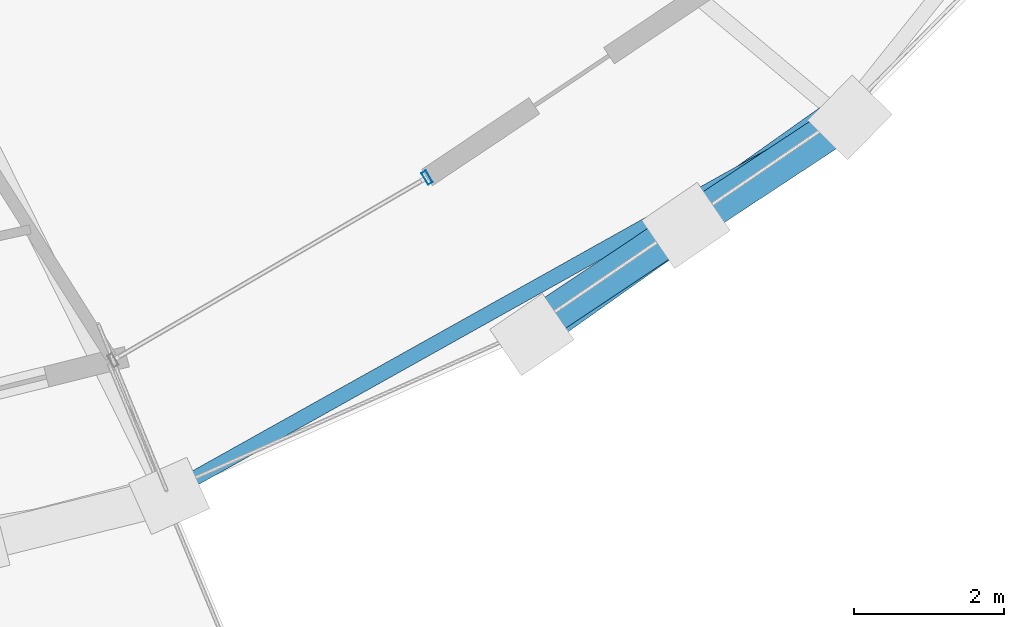
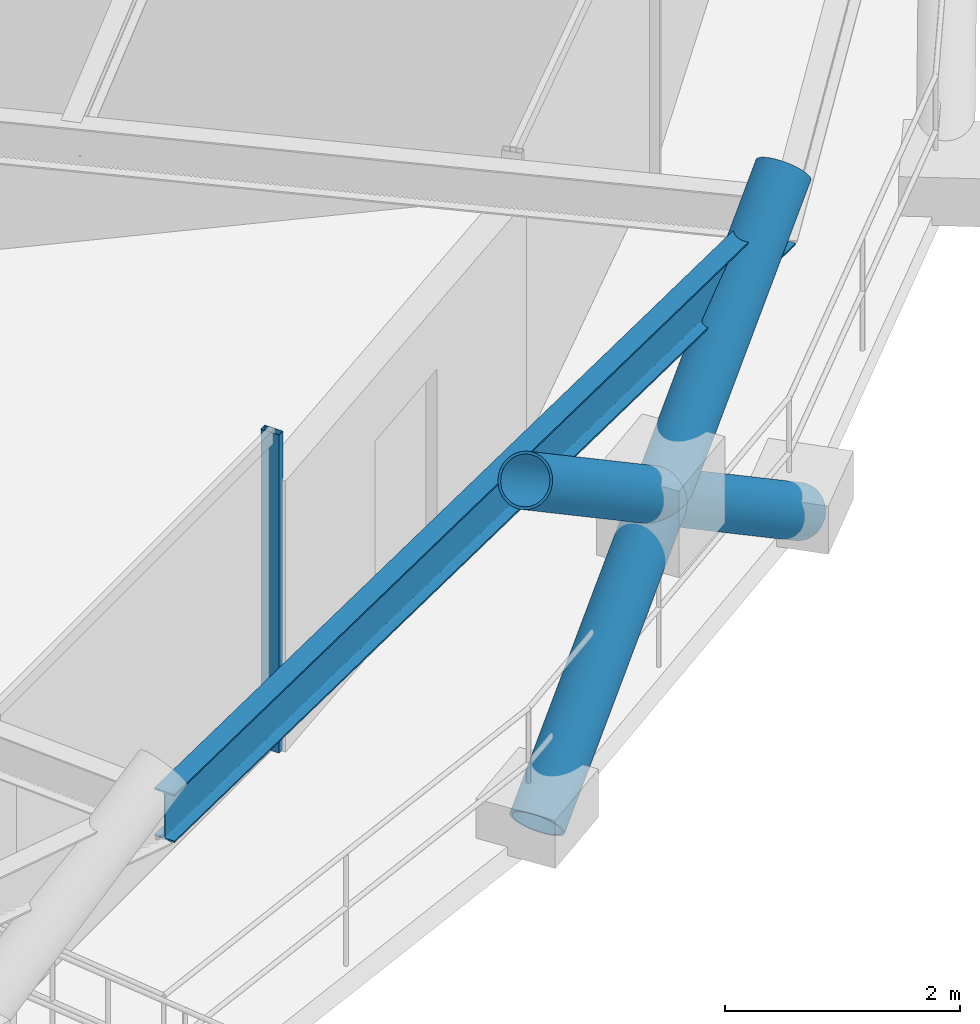
# One storey, part 3 of 16: 4 members, 1 beam, 1 element without a shape of its own.
"""IFC4 building model written with IfcOpenShell, lengths in metres."""

from ifc_helpers import new_model, si_unit, direction, frame, origin, origin_2d, place, context, subcontext, project, spatial, hollow_rectangle, hollow_circle, i_section, extrude, material, layer, layer_set, material_profile, profile_set, type_object, element, aggregate, save


model = new_model("IFC4")

# Units and contexts
model_context = context("Model", 3, precision=1e-05, world=origin(), true_north=direction((0.0, 1.0)))
body_context = subcontext(model_context, "Body", "Model", "MODEL_VIEW")
ifc_project = project(units=[si_unit("LENGTHUNIT", "METRE"), si_unit("AREAUNIT", "SQUARE_METRE"), si_unit("VOLUMEUNIT", "CUBIC_METRE"), si_unit("PLANEANGLEUNIT", "RADIAN"), si_unit("MASSUNIT", "GRAM", prefix="KILO")], contexts=[model_context])

# Site, building, storey
site_placement = place(None, origin())
site = spatial("IfcSite", under=ifc_project, at=site_placement, CompositionType="ELEMENT")
building_placement = place(site_placement, origin())
building = spatial("IfcBuilding", under=site, at=building_placement, Name="Veldorina Hangang Commons", CompositionType="ELEMENT")
storey_placement = place(building_placement, frame((0.0, 0.0, 174.800048828125)))
storey = spatial("IfcBuildingStorey", under=building, at=storey_placement, Name="L45", CompositionType="ELEMENT", Elevation=174.800048828125)

# Beam
ifc_material_1 = material(Name="Steel SM420-TMC", Category="steel")
ifc_material_profile_1 = material_profile(ifc_material_1, i_section(OverallWidth=0.199951171875, OverallDepth=0.5, WebThickness=0.010009765625, FlangeThickness=0.01611328125, FilletRadius=0.01611328125, at=origin_2d()), Name="H-500x200x10x16")
ifc_profile_set_1 = profile_set([ifc_material_profile_1], Name="Steel SM420-TMC")
beam_type = type_object("IfcBeamType", Name="BM-RB500", PredefinedType="BEAM", material=ifc_profile_set_1)
beam_placement = place(storey_placement, frame((42.649169921875, 2.483154296875, 3.099853515625), z_axis=(0.872794447993, 0.488087954731, 0.0), x_axis=(-0.488087954731, 0.872794447993, 0.0)))
element("IfcBeam", 1, at=beam_placement, inside=storey, type_object=beam_type, Name="L45 perimeter hoop ring beam 26", PredefinedType="BEAM", context=body_context, shape_type="SweptSolid", body=[
    extrude(i_section(OverallWidth=0.199951171875, OverallDepth=0.5, WebThickness=0.010009765625, FlangeThickness=0.01611328125, FilletRadius=0.01611328125, at=origin_2d()), origin(), (0.0, 0.0, 1.0), 10.343505859375),
])

# Curtain wall, member
ifc_material_2 = material(Name="Glass Low-E Triple IGU", Category="glass")
ifc_layer = layer(ifc_material_2, 0.179931640625)
ifc_layer_set = layer_set([ifc_layer], Name="Glass Low-E Triple IGU")
curtain_wall_type = type_object("IfcCurtainWallType", Name="CW-SYS-Z2", PredefinedType="NOTDEFINED", material=ifc_layer_set)
curtain_wall_placement = place(storey_placement, origin())
curtain_wall = element("IfcCurtainWall", 2, at=curtain_wall_placement, inside=storey, type_object=curtain_wall_type, Name="L45 unitised curtain wall CW-L45-R1", PredefinedType="NOTDEFINED")
ifc_material_3 = material(Name="Aluminium Anodized AA6063-T6", Category="aluminium")
ifc_material_profile_2 = material_profile(ifc_material_3, hollow_rectangle(XDim=0.070068359375, YDim=0.179931640625, WallThickness=0.00390625, at=origin_2d()), Name="ALU-RHS-180x70x4")
ifc_profile_set_2 = profile_set([ifc_material_profile_2], Name="Aluminium Anodized AA6063-T6")
member_type_1 = type_object("IfcMemberType", Name="CW-MUL-180", PredefinedType="MULLION", material=ifc_profile_set_2)
member_1_placement = place(storey_placement, frame((46.156005859375, 6.72216796875, 0.0), z_axis=(0.0, 0.0, 1.0), x_axis=(-0.864397687112, -0.502808749443, 0.0)))
member_1 = element("IfcMember", 3, at=member_1_placement, type_object=member_type_1, Name="CW-L45-R1 vertical mullion 2", PredefinedType="MULLION", context=body_context, shape_type="SweptSolid", body=[
    extrude(hollow_rectangle(XDim=0.070068359375, YDim=0.179931640625, WallThickness=0.00390625, at=origin_2d()), origin(), (0.0, 0.0, 1.0), 3.31005859375),
])
aggregate(curtain_wall, [member_1])

# Members
ifc_material_profile_3 = material_profile(ifc_material_1, hollow_circle(Radius=0.25, WallThickness=0.02490234375, at=origin_2d()), Name="CHS-500x25")
ifc_profile_set_3 = profile_set([ifc_material_profile_3], Name="Steel SM420-TMC")
member_type_2 = type_object("IfcMemberType", Name="DG-CHS500", PredefinedType="BRACE", material=ifc_profile_set_3)
member_2_placement = place(storey_placement, frame((47.555908203125, 4.626708984375, 0.0), z_axis=(0.663351612561, 0.470059979518, 0.582244153057), x_axis=(-0.578169608279, 0.81591660362, 0.0)))
element("IfcMember", 4, at=member_2_placement, inside=storey, type_object=member_type_2, Name="L45 continuous perimeter diagrid brace 27", PredefinedType="BRACE", context=body_context, shape_type="SweptSolid", body=[
    extrude(hollow_circle(Radius=0.25, WallThickness=0.02490234375, at=origin_2d()), origin(), (0.0, 0.0, 1.0), 6.1826171875),
])
member_3_placement = place(storey_placement, frame((51.799072265625, 7.5244140625, 0.0), z_axis=(-0.687682060273, -0.453030418543, 0.567324266935), x_axis=(0.550131693268, -0.83507791257, 0.0)))
element("IfcMember", 5, at=member_3_placement, inside=storey, type_object=member_type_2, Name="L45 split perimeter diagrid lower brace 28", PredefinedType="BRACE", context=body_context, shape_type="SweptSolid", body=[
    extrude(hollow_circle(Radius=0.25, WallThickness=0.02490234375, at=origin_2d()), origin(), (0.0, 0.0, 1.0), 3.1806640625),
])
member_4_placement = place(storey_placement, frame((49.61181640625, 6.08349609375, 1.804443359375), z_axis=(-0.684875579834, -0.457200933434, 0.567373551211), x_axis=(0.555218998083, -0.831704192708, 0.0)))
element("IfcMember", 6, at=member_4_placement, inside=storey, type_object=member_type_2, Name="L45 split perimeter diagrid upper brace 28", PredefinedType="BRACE", context=body_context, shape_type="SweptSolid", body=[
    extrude(hollow_circle(Radius=0.25, WallThickness=0.02490234375, at=origin_2d()), origin(), (0.0, 0.0, 1.0), 3.164306640625),
])

save(model, "model.ifc")
